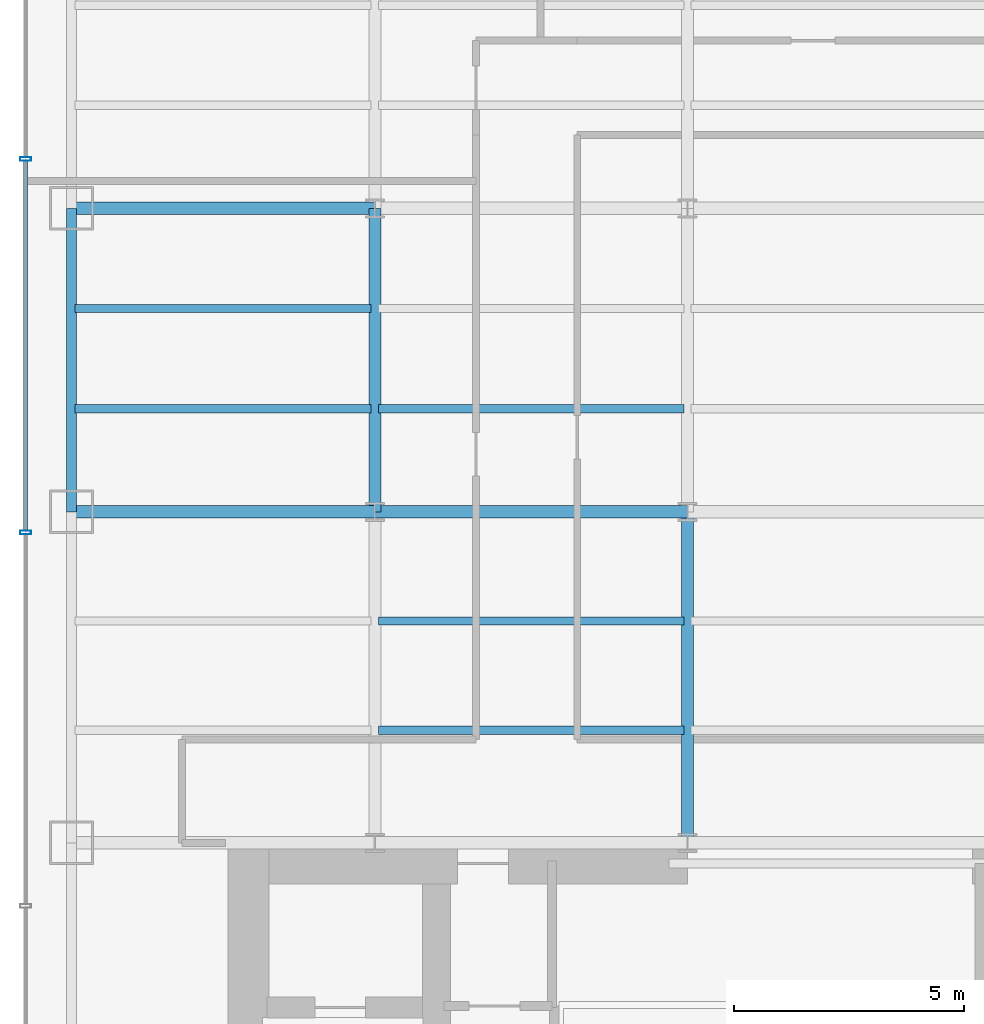
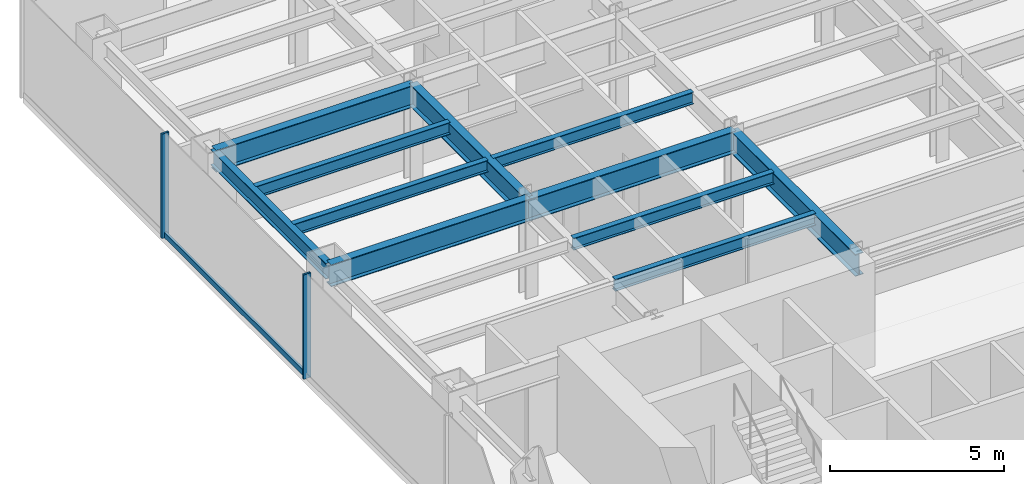
# One storey, part 4 of 22: 11 beams, 3 members, 1 element without a shape of its own.
"""IFC4 building model written with IfcOpenShell, lengths in metres."""

from ifc_helpers import new_model, si_unit, derived_unit, direction, frame, origin, origin_2d, place, context, subcontext, project, spatial, hollow_rectangle, i_section, extrude, source, transform, mapped, material, material_profile, profile_set, type_object, element, aggregate, save


model = new_model("IFC4")

# Units and contexts
model_context = context("Model", 3, precision=1e-05, world=origin(), true_north=direction((0.0, 1.0)))
body_context = subcontext(model_context, "Body", "Model", "MODEL_VIEW")
ifc_project = project(units=[si_unit("LENGTHUNIT", "METRE"), si_unit("AREAUNIT", "SQUARE_METRE"), si_unit("VOLUMEUNIT", "CUBIC_METRE"), si_unit("PLANEANGLEUNIT", "RADIAN"), si_unit("MASSUNIT", "GRAM", prefix="KILO"), derived_unit("THERMALTRANSMITTANCEUNIT", [(si_unit("POWERUNIT", "WATT"), 1), (si_unit("LENGTHUNIT", "METRE"), -2), (si_unit("THERMODYNAMICTEMPERATUREUNIT", "KELVIN"), -1)])], contexts=[model_context])

# Site, building, storey
site_placement = place(None, origin())
site = spatial("IfcSite", under=ifc_project, at=site_placement, CompositionType="ELEMENT")
building_placement = place(site_placement, origin())
building = spatial("IfcBuilding", under=site, at=building_placement, Name="Skarnbrae Concourse Arena and Tower", CompositionType="ELEMENT")
storey_placement = place(building_placement, frame((0.0, 0.0, 36.14990234375)))
storey = spatial("IfcBuildingStorey", under=building, at=storey_placement, Name="L07", CompositionType="ELEMENT", Elevation=36.14990234375)

# Beams
ifc_material_1 = material(Name="Steel CSA G40.21 350W", Category="steel")
ifc_material_profile_1 = material_profile(ifc_material_1, i_section(OverallWidth=0.26806640625, OverallDepth=0.77001953125, WebThickness=0.015625, FlangeThickness=0.025390625, at=origin_2d()), Name="W760X196")
ifc_profile_set_1 = profile_set([ifc_material_profile_1], Name="Steel CSA G40.21 350W")
beam_type_1 = type_object("IfcBeamType", Name="BM-GIRD-W760X196", PredefinedType="BEAM", material=ifc_profile_set_1)
shared_shape_1 = source(origin(), body_context, "Body", "SweptSolid", [
    extrude(i_section(OverallWidth=0.26806640625, OverallDepth=0.77001953125, WebThickness=0.015625, FlangeThickness=0.025390625, at=origin_2d()), origin(), (0.0, 0.0, 1.0), 6.60009765625),
])
for number, where, z_axis, x_axis, name in (
    (1, (1.0, 21.199951171875, 3.01513671875), (1.0, 0.0, 0.0), (0.0, 1.0, 0.0), "L07 Primary E-W girder Y21.2-1"),
    (2, (1.0, 27.800048828125, 3.01513671875), (1.0, 0.0, 0.0), (0.0, 1.0, 0.0), "L07 Primary E-W girder Y27.8-1"),
    (3, (7.60009765625, 21.199951171875, 3.01513671875), (0.0, 1.0, 0.0), (-1.0, 0.0, 0.0), "L07 Primary N-S girder X7.6-2"),
):
    element("IfcBeam", number, at=place(storey_placement, frame(where, z_axis=z_axis, x_axis=x_axis)), inside=storey, type_object=beam_type_1, Name=name, PredefinedType="BEAM", context=body_context, shape_type="MappedRepresentation", body=[
        mapped(shared_shape_1, transform((0.0, 0.0, 0.0))),
    ])
shared_shape_2 = source(origin(), body_context, "Body", "SweptSolid", [
    extrude(i_section(OverallWidth=0.26806640625, OverallDepth=0.77001953125, WebThickness=0.015625, FlangeThickness=0.025390625, at=origin_2d()), origin(), (0.0, 0.0, 1.0), 6.7998046875),
])
beam_1_placement = place(storey_placement, frame((7.60009765625, 21.199951171875, 3.01513671875), z_axis=(1.0, 0.0, 0.0), x_axis=(0.0, 1.0, 0.0)))
element("IfcBeam", 4, at=beam_1_placement, inside=storey, type_object=beam_type_1, Name="L07 Primary E-W girder Y21.2-2", PredefinedType="BEAM", context=body_context, shape_type="MappedRepresentation", body=[
    mapped(shared_shape_2, transform((0.0, 0.0, 0.0))),
])
ifc_material_profile_2 = material_profile(ifc_material_1, i_section(OverallWidth=0.214111328125, OverallDepth=0.549072265625, WebThickness=0.0146484375, FlangeThickness=0.023681640625, at=origin_2d()), Name="W530X138")
ifc_profile_set_2 = profile_set([ifc_material_profile_2], Name="Steel CSA G40.21 350W")
beam_type_2 = type_object("IfcBeamType", Name="BM-SPAN-W530X138", PredefinedType="SPANDREL", material=ifc_profile_set_2)
shared_shape_3 = source(origin(), body_context, "Body", "SweptSolid", [
    extrude(i_section(OverallWidth=0.214111328125, OverallDepth=0.549072265625, WebThickness=0.0146484375, FlangeThickness=0.023681640625, at=origin_2d()), origin(), (0.0, 0.0, 1.0), 6.60009765625),
])
beam_2_placement = place(storey_placement, frame((1.0, 21.199951171875, 3.12548828125), z_axis=(0.0, 1.0, 0.0), x_axis=(-1.0, 0.0, 0.0)))
element("IfcBeam", 5, at=beam_2_placement, inside=storey, type_object=beam_type_2, Name="L07 Perimeter spandrel X1.0-3", PredefinedType="SPANDREL", context=body_context, shape_type="MappedRepresentation", body=[
    mapped(shared_shape_3, transform((0.0, 0.0, 0.0))),
])
shared_shape_4 = source(origin(), body_context, "Body", "SweptSolid", [
    extrude(i_section(OverallWidth=0.26806640625, OverallDepth=0.77001953125, WebThickness=0.015625, FlangeThickness=0.025390625, at=origin_2d()), origin(), (0.0, 0.0, 1.0), 7.199951171875),
])
beam_3_placement = place(storey_placement, frame((14.39990234375, 14.0, 3.01513671875), z_axis=(0.0, 1.0, 0.0), x_axis=(-1.0, 0.0, 0.0)))
element("IfcBeam", 6, at=beam_3_placement, inside=storey, type_object=beam_type_1, Name="L07 Primary N-S girder X14.4-1", PredefinedType="BEAM", context=body_context, shape_type="MappedRepresentation", body=[
    mapped(shared_shape_4, transform((0.0, 0.0, 0.0))),
])
ifc_material_profile_3 = material_profile(ifc_material_1, i_section(OverallWidth=0.180908203125, OverallDepth=0.4169921875, WebThickness=0.010986328125, FlangeThickness=0.018310546875, at=origin_2d()), Name="W410X85")
ifc_profile_set_3 = profile_set([ifc_material_profile_3], Name="Steel CSA G40.21 350W")
beam_type_3 = type_object("IfcBeamType", Name="BM-JOIST-W410X85", PredefinedType="JOIST", material=ifc_profile_set_3)
shared_shape_5 = source(origin(), body_context, "Body", "SweptSolid", [
    extrude(i_section(OverallWidth=0.180908203125, OverallDepth=0.4169921875, WebThickness=0.010986328125, FlangeThickness=0.018310546875, at=origin_2d()), origin(), (0.0, 0.0, 1.0), 6.43994140625),
])
for number, where, z_axis, x_axis, name in (
    (7, (1.080078125, 23.444091796875, 3.191650390625), (1.0, 0.0, 0.0), (0.0, 1.0, 0.0), "L07 Secondary floor joist 2.1.1"),
    (8, (1.080078125, 25.6220703125, 3.191650390625), (1.0, 0.0, 0.0), (0.0, 1.0, 0.0), "L07 Secondary floor joist 2.2.1"),
):
    element("IfcBeam", number, at=place(storey_placement, frame(where, z_axis=z_axis, x_axis=x_axis)), inside=storey, type_object=beam_type_3, Name=name, PredefinedType="JOIST", context=body_context, shape_type="MappedRepresentation", body=[
        mapped(shared_shape_5, transform((0.0, 0.0, 0.0))),
    ])
shared_shape_6 = source(origin(), body_context, "Body", "SweptSolid", [
    extrude(i_section(OverallWidth=0.180908203125, OverallDepth=0.4169921875, WebThickness=0.010986328125, FlangeThickness=0.018310546875, at=origin_2d()), origin(), (0.0, 0.0, 1.0), 6.64013671875),
])
for number, where, z_axis, x_axis, name in (
    (9, (7.679931640625, 16.447998046875, 3.191650390625), (1.0, 0.0, 0.0), (0.0, 1.0, 0.0), "L07 Secondary floor joist 1.1.2"),
    (10, (7.679931640625, 18.823974609375, 3.191650390625), (1.0, 0.0, 0.0), (0.0, 1.0, 0.0), "L07 Secondary floor joist 1.2.2"),
    (11, (7.679931640625, 23.444091796875, 3.191650390625), (1.0, 0.0, 0.0), (0.0, 1.0, 0.0), "L07 Secondary floor joist 2.1.2"),
):
    element("IfcBeam", number, at=place(storey_placement, frame(where, z_axis=z_axis, x_axis=x_axis)), inside=storey, type_object=beam_type_3, Name=name, PredefinedType="JOIST", context=body_context, shape_type="MappedRepresentation", body=[
        mapped(shared_shape_6, transform((0.0, 0.0, 0.0))),
    ])

# Curtain wall, members
ifc_material_2 = material(Name="Bronze anodised aluminium 6063-T6", Category="aluminium")
curtain_wall_type = type_object("IfcCurtainWallType", Name="CW-SYS-02-LOWZONE", PredefinedType="USERDEFINED", material=ifc_material_2)
curtain_wall_placement = place(storey_placement, origin())
curtain_wall = element("IfcCurtainWall", 12, at=curtain_wall_placement, inside=storey, type_object=curtain_wall_type, Name="L07 Unitised curtain wall CW-L07-E19", ObjectType="UNITISED CURTAIN WALL", PredefinedType="USERDEFINED")
ifc_material_profile_4 = material_profile(ifc_material_2, hollow_rectangle(XDim=0.080078125, YDim=0.18994140625, WallThickness=0.0048828125, at=origin_2d()), Name="ALU-TRAN-80X190")
ifc_profile_set_4 = profile_set([ifc_material_profile_4], Name="Bronze anodised aluminium 6063-T6")
member_type_1 = type_object("IfcMemberType", Name="CWT-CW-02", PredefinedType="USERDEFINED", material=ifc_profile_set_4)
shared_shape_7 = source(origin(), body_context, "Body", "SweptSolid", [
    extrude(hollow_rectangle(XDim=0.080078125, YDim=0.18994140625, WallThickness=0.0048828125, at=origin_2d()), origin(), (0.0, 0.0, 1.0), 8.044921875),
])
member_1_placement = place(storey_placement, frame((0.0, 28.8349609375, 0.09521484375), z_axis=(0.0, -1.0, 0.0), x_axis=(1.0, 0.0, 0.0)))
member_1 = element("IfcMember", 13, at=member_1_placement, type_object=member_type_1, Name="CW-L07-E19 Transom 2", ObjectType="TRANSOM", PredefinedType="USERDEFINED", context=body_context, shape_type="MappedRepresentation", body=[
    mapped(shared_shape_7, transform((0.0, 0.0, 0.0))),
])
ifc_material_profile_5 = material_profile(ifc_material_2, hollow_rectangle(XDim=0.080078125, YDim=0.239990234375, WallThickness=0.0048828125, at=origin_2d()), Name="ALU-MULL-80X240")
ifc_profile_set_5 = profile_set([ifc_material_profile_5], Name="Bronze anodised aluminium 6063-T6")
member_type_2 = type_object("IfcMemberType", Name="CWM-CW-02", PredefinedType="MULLION", material=ifc_profile_set_5)
shared_shape_8 = source(origin(), body_context, "Body", "SweptSolid", [
    extrude(hollow_rectangle(XDim=0.080078125, YDim=0.239990234375, WallThickness=0.0048828125, at=origin_2d()), origin(), (0.0, 0.0, 1.0), 3.650146484375),
])
member_2_placement = place(storey_placement, frame((0.0, 28.875, 0.0), z_axis=(0.0, 0.0, 1.0), x_axis=(0.0, -1.0, 0.0)))
member_2 = element("IfcMember", 14, at=member_2_placement, type_object=member_type_2, Name="CW-L07-E19 Mullion 2", PredefinedType="MULLION", context=body_context, shape_type="MappedRepresentation", body=[
    mapped(shared_shape_8, transform((0.0, 0.0, 0.0))),
])
member_3_placement = place(storey_placement, frame((0.0, 20.75, 0.0), z_axis=(0.0, 0.0, 1.0), x_axis=(0.0, -1.0, 0.0)))
member_3 = element("IfcMember", 15, at=member_3_placement, type_object=member_type_2, Name="CW-L07-E19 Mullion 3", PredefinedType="MULLION", context=body_context, shape_type="MappedRepresentation", body=[
    mapped(shared_shape_8, transform((0.0, 0.0, 0.0))),
])
aggregate(curtain_wall, [member_2, member_3, member_1])

save(model, "model.ifc")
